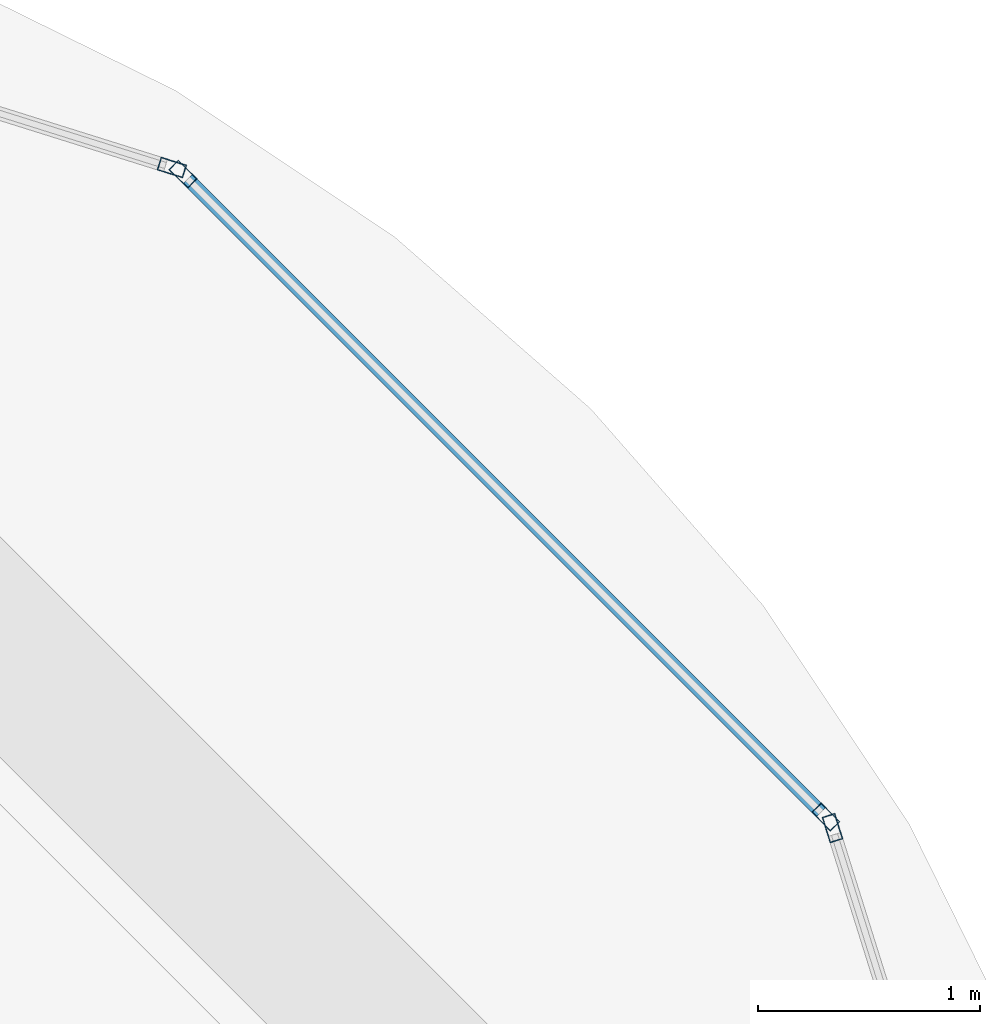
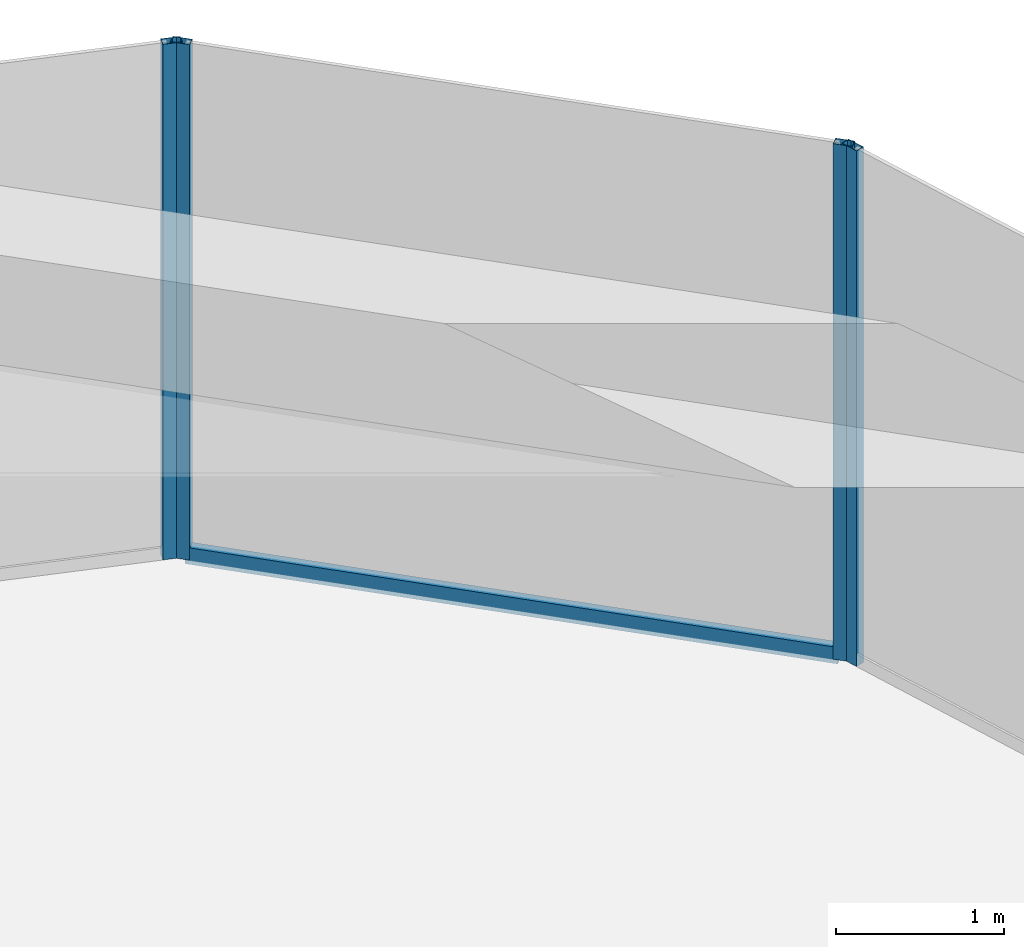
# One storey, part 39 of 44: 5 members, 3 elements without a shape of their own.
"""IFC4 building model written with IfcOpenShell, lengths in metres."""

from ifc_helpers import new_model, si_unit, direction, frame, origin, origin_2d, place, context, subcontext, project, spatial, hollow_rectangle, extrude, material, material_profile, profile_set, type_object, element, aggregate, save


model = new_model("IFC4")

# Units and contexts
model_context = context("Model", 3, precision=1e-05, world=origin(), true_north=direction((0.0, 1.0)))
body_context = subcontext(model_context, "Body", "Model", "MODEL_VIEW")
ifc_project = project(units=[si_unit("LENGTHUNIT", "METRE"), si_unit("AREAUNIT", "SQUARE_METRE"), si_unit("VOLUMEUNIT", "CUBIC_METRE"), si_unit("PLANEANGLEUNIT", "RADIAN"), si_unit("MASSUNIT", "GRAM", prefix="KILO")], contexts=[model_context])

# Site, building, storey
site_placement = place(None, origin())
site = spatial("IfcSite", under=ifc_project, at=site_placement, CompositionType="ELEMENT")
building_placement = place(site_placement, origin())
building = spatial("IfcBuilding", under=site, at=building_placement, Name="Zorevar Civic Tower", CompositionType="ELEMENT")
storey_placement = place(building_placement, frame((0.0, 0.0, 259.39990234375)))
storey = spatial("IfcBuildingStorey", under=building, at=storey_placement, Name="L63", CompositionType="ELEMENT", Elevation=259.39990234375)

# Curtain wall, member
ifc_material_1 = material(Name="Dark grey solar-control glass in black aluminium frame", Category="aluminium")
curtain_wall_type = type_object("IfcCurtainWallType", Name="Curtain wall CW5 top zone", PredefinedType="NOTDEFINED", material=ifc_material_1)
curtain_wall_1_placement = place(storey_placement, origin())
curtain_wall_1 = element("IfcCurtainWall", 1, at=curtain_wall_1_placement, inside=storey, type_object=curtain_wall_type, Name="CW5 L63", PredefinedType="NOTDEFINED")
ifc_material_2 = material(Name="Aluminium, black anodised", Category="aluminium")
ifc_material_profile_1 = material_profile(ifc_material_2, hollow_rectangle(XDim=0.06005859375, YDim=0.1201171875, WallThickness=0.0029296875, at=origin_2d()), Name="AL 120x60x3")
ifc_profile_set_1 = profile_set([ifc_material_profile_1], Name="Aluminium, black anodised")
member_type_1 = type_object("IfcMemberType", Name="CW5 mullion AL 120x60x3", PredefinedType="MULLION", material=ifc_profile_set_1)
member_1_placement = place(storey_placement, frame((52.449951171875, 40.479248046875, 0.0), z_axis=(0.0, 0.0, 1.0), x_axis=(-0.954153437674, -0.299317920238, 0.0)))
member_1 = element("IfcMember", 2, at=member_1_placement, type_object=member_type_1, Name="CW5 mullion 2", PredefinedType="MULLION", context=body_context, shape_type="SweptSolid", body=[
    extrude(hollow_rectangle(XDim=0.06005859375, YDim=0.1201171875, WallThickness=0.0029296875, at=origin_2d()), origin(), (0.0, 0.0, 1.0), 3.75),
])
aggregate(curtain_wall_1, [member_1])

# Curtain wall, members
curtain_wall_2_placement = place(storey_placement, origin())
curtain_wall_2 = element("IfcCurtainWall", 3, at=curtain_wall_2_placement, inside=storey, type_object=curtain_wall_type, Name="CW5 L63", PredefinedType="NOTDEFINED")
member_2_placement = place(storey_placement, frame((52.419677734375, 40.529052734375, 0.0), z_axis=(0.0, 0.0, 1.0), x_axis=(-0.707106781187, -0.707106781187, 0.0)))
member_2 = element("IfcMember", 4, at=member_2_placement, type_object=member_type_1, Name="CW5 mullion 1", PredefinedType="MULLION", context=body_context, shape_type="SweptSolid", body=[
    extrude(hollow_rectangle(XDim=0.06005859375, YDim=0.1201171875, WallThickness=0.0029296875, at=origin_2d()), origin(), (0.0, 0.0, 1.0), 3.75),
])
member_3_placement = place(storey_placement, frame((49.529052734375, 43.419677734375, 0.0), z_axis=(0.0, 0.0, 1.0), x_axis=(-0.707106781187, -0.707106781187, 0.0)))
member_3 = element("IfcMember", 5, at=member_3_placement, type_object=member_type_1, Name="CW5 mullion 2", PredefinedType="MULLION", context=body_context, shape_type="SweptSolid", body=[
    extrude(hollow_rectangle(XDim=0.06005859375, YDim=0.1201171875, WallThickness=0.0029296875, at=origin_2d()), origin(), (0.0, 0.0, 1.0), 3.75),
])

# Curtain wall, member
curtain_wall_3_placement = place(storey_placement, origin())
curtain_wall_3 = element("IfcCurtainWall", 6, at=curtain_wall_3_placement, inside=storey, type_object=curtain_wall_type, Name="CW5 L63", PredefinedType="NOTDEFINED")
member_4_placement = place(storey_placement, frame((49.479248046875, 43.449951171875, 0.0), z_axis=(0.0, 0.0, 1.0), x_axis=(-0.299317920238, -0.954153437674, 0.0)))
member_4 = element("IfcMember", 7, at=member_4_placement, type_object=member_type_1, Name="CW5 mullion 1", PredefinedType="MULLION", context=body_context, shape_type="SweptSolid", body=[
    extrude(hollow_rectangle(XDim=0.06005859375, YDim=0.1201171875, WallThickness=0.0029296875, at=origin_2d()), origin(), (0.0, 0.0, 1.0), 3.75),
])
aggregate(curtain_wall_3, [member_4])

# Member
ifc_material_3 = material(Name="Aluminium, black anodised", Category="aluminium")
ifc_material_profile_2 = material_profile(ifc_material_3, hollow_rectangle(XDim=0.06005859375, YDim=0.1201171875, WallThickness=0.0029296875, at=origin_2d()), Name="AL 120x60x3")
ifc_profile_set_2 = profile_set([ifc_material_profile_2], Name="Aluminium, black anodised")
member_type_2 = type_object("IfcMemberType", Name="CW5 transom AL 120x60x3", PredefinedType="USERDEFINED", material=ifc_profile_set_2)
member_5_placement = place(storey_placement, frame((52.3984375, 40.55029296875, 0.030029296875), z_axis=(-0.707106781187, 0.707106781187, 0.0), x_axis=(-0.707106781187, -0.707106781187, 0.0)))
member_5 = element("IfcMember", 8, at=member_5_placement, type_object=member_type_2, Name="CW5 sill transom", ObjectType="TRANSOM", PredefinedType="USERDEFINED", context=body_context, shape_type="SweptSolid", body=[
    extrude(hollow_rectangle(XDim=0.06005859375, YDim=0.1201171875, WallThickness=0.0029296875, at=origin_2d()), origin(), (0.0, 0.0, 1.0), 4.02783203125),
])

aggregate(curtain_wall_2, [member_2, member_3, member_5])

save(model, "model.ifc")
